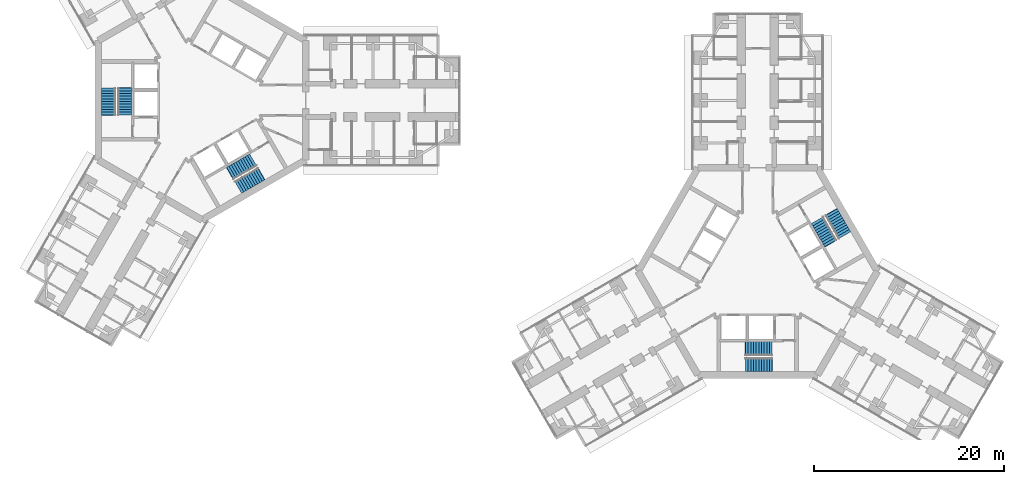
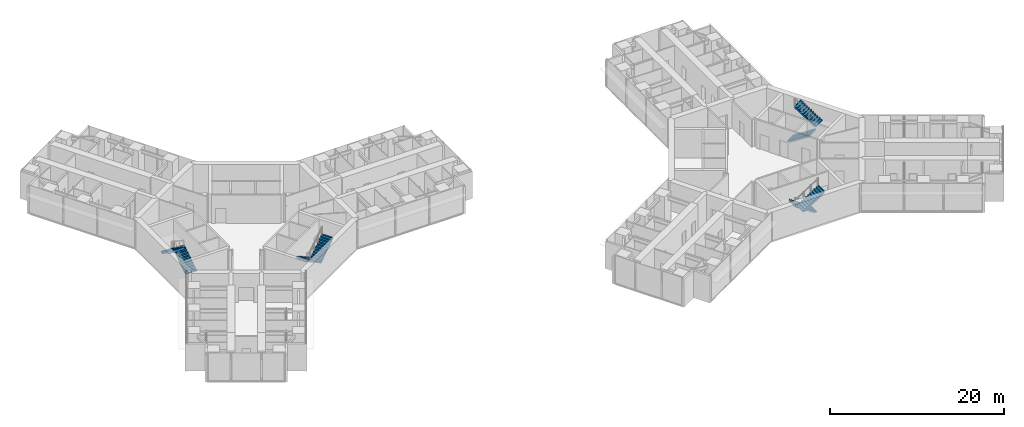
# One storey, part 24 of 25: 8 stair flights, 4 elements without a shape of their own.
"""IFC4 building model written with IfcOpenShell, lengths in metres."""

from ifc_helpers import new_model, si_unit, direction, frame, origin, place, context, subcontext, project, spatial, polyline, outline, extrude, material, type_object, element, aggregate, save


model = new_model("IFC4")

# Units and contexts
model_context = context("Model", 3, precision=1e-05, world=origin(), true_north=direction((0.0, 1.0)))
body_context = subcontext(model_context, "Body", "Model", "MODEL_VIEW")
ifc_project = project(units=[si_unit("LENGTHUNIT", "METRE"), si_unit("AREAUNIT", "SQUARE_METRE"), si_unit("VOLUMEUNIT", "CUBIC_METRE"), si_unit("PLANEANGLEUNIT", "RADIAN"), si_unit("MASSUNIT", "GRAM", prefix="KILO")], contexts=[model_context])

# Site, building, storey
site_placement = place(None, origin())
site = spatial("IfcSite", under=ifc_project, at=site_placement, CompositionType="ELEMENT")
building_placement = place(site_placement, origin())
building = spatial("IfcBuilding", under=site, at=building_placement, Name="Upepo Twin Towers", CompositionType="ELEMENT")
storey_placement = place(building_placement, frame((0.0, 0.0, 72.5)))
storey = spatial("IfcBuildingStorey", under=building, at=storey_placement, Name="L17", CompositionType="ELEMENT", Elevation=72.5)

# Stair, stair flights
ifc_material_1 = material(Name="Concrete C40/50", Category="concrete")
stair_type = type_object("IfcStairType", Name="Core stair, two flights", PredefinedType="HALF_TURN_STAIR", material=ifc_material_1)
stair_1_placement = place(storey_placement, origin())
stair_1 = element("IfcStair", 1, at=stair_1_placement, inside=storey, type_object=stair_type, Name="T1 stair S1 L17", PredefinedType="HALF_TURN_STAIR")
ifc_material_2 = material(Name="Concrete C40/50", Category="concrete")
stair_flight_type = type_object("IfcStairFlightType", Name="Stair flight 1450 RC", PredefinedType="STRAIGHT", material=ifc_material_2)
stair_flight_1_placement = place(storey_placement, frame((-8.125, -1.52001953125, 0.0), z_axis=(0.0, 0.0, 1.0), x_axis=(0.0, 1.0, 0.0)))
stair_flight_1 = element("IfcStairFlight", 2, at=stair_flight_1_placement, type_object=stair_flight_type, Name="Stair S1 flight 1", NumberOfRisers=11, NumberOfTreads=10, PredefinedType="STRAIGHT", RiserHeight=0.181818182, TreadLength=0.28, context=body_context, shape_type="SweptSolid", body=[
    extrude(outline(polyline([(0.0, 0.0), (0.0, 0.181884765625), (0.280029296875, 0.181884765625), (0.280029296875, 0.363525390625), (0.56005859375, 0.363525390625), (0.56005859375, 0.54541015625), (0.840087890625, 0.54541015625), (0.840087890625, 0.727294921875), (1.1201171875, 0.727294921875), (1.1201171875, 0.9091796875), (1.39990234375, 0.9091796875), (1.39990234375, 1.0908203125), (1.679931640625, 1.0908203125), (1.679931640625, 1.272705078125), (1.9599609375, 1.272705078125), (1.9599609375, 1.45458984375), (2.239990234375, 1.45458984375), (2.239990234375, 1.636474609375), (2.52001953125, 1.636474609375), (2.52001953125, 1.818115234375), (2.800048828125, 1.818115234375), (2.800048828125, 2.0), (2.85009765625, 2.0), (2.85009765625, 1.639404296875), (0.3251953125, 0.0), (0.0, 0.0)])), frame((0.0, 0.72509765625, 0.0), z_axis=(0.0, -1.0, 0.0), x_axis=(1.0, 0.0, 0.0)), (0.0, 0.0, 1.0), 1.449951171875),
])
stair_flight_2_placement = place(storey_placement, frame((-9.833251953125, 1.280029296875, 2.0), z_axis=(0.0, 0.0, 1.0), x_axis=(0.0, -1.0, 0.0)))
stair_flight_2 = element("IfcStairFlight", 3, at=stair_flight_2_placement, type_object=stair_flight_type, Name="Stair S1 flight 2", NumberOfRisers=11, NumberOfTreads=10, PredefinedType="STRAIGHT", RiserHeight=0.181818182, TreadLength=0.28, context=body_context, shape_type="SweptSolid", body=[
    extrude(outline(polyline([(0.0, 0.0), (0.0, 0.181884765625), (0.280029296875, 0.181884765625), (0.280029296875, 0.363525390625), (0.56005859375, 0.363525390625), (0.56005859375, 0.54541015625), (0.840087890625, 0.54541015625), (0.840087890625, 0.727294921875), (1.1201171875, 0.727294921875), (1.1201171875, 0.9091796875), (1.39990234375, 0.9091796875), (1.39990234375, 1.0908203125), (1.679931640625, 1.0908203125), (1.679931640625, 1.272705078125), (1.9599609375, 1.272705078125), (1.9599609375, 1.45458984375), (2.239990234375, 1.45458984375), (2.239990234375, 1.636474609375), (2.52001953125, 1.636474609375), (2.52001953125, 1.818115234375), (2.800048828125, 1.818115234375), (2.800048828125, 2.0), (2.85009765625, 2.0), (2.85009765625, 1.639404296875), (0.3251953125, 0.0), (0.0, 0.0)])), frame((0.0, 0.72509765625, 0.0), z_axis=(0.0, -1.0, 0.0), x_axis=(1.0, 0.0, 0.0)), (0.0, 0.0, 1.0), 1.449951171875),
])
aggregate(stair_1, [stair_flight_1, stair_flight_2])

stair_2_placement = place(storey_placement, origin())
stair_2 = element("IfcStair", 4, at=stair_2_placement, inside=storey, type_object=stair_type, Name="T1 stair S2 L17", PredefinedType="HALF_TURN_STAIR")
stair_flight_3_placement = place(storey_placement, frame((5.37890625, -6.2763671875, 0.0), z_axis=(0.0, 0.0, 1.0), x_axis=(-0.866025403784, -0.5, 0.0)))
stair_flight_3 = element("IfcStairFlight", 5, at=stair_flight_3_placement, type_object=stair_flight_type, Name="Stair S2 flight 1", NumberOfRisers=11, NumberOfTreads=10, PredefinedType="STRAIGHT", RiserHeight=0.181818182, TreadLength=0.28, context=body_context, shape_type="SweptSolid", body=[
    extrude(outline(polyline([(0.0, 0.0), (0.0, 0.181884765625), (0.280029296875, 0.181884765625), (0.280029296875, 0.363525390625), (0.56005859375, 0.363525390625), (0.56005859375, 0.54541015625), (0.840087890625, 0.54541015625), (0.840087890625, 0.727294921875), (1.1201171875, 0.727294921875), (1.1201171875, 0.9091796875), (1.39990234375, 0.9091796875), (1.39990234375, 1.0908203125), (1.679931640625, 1.0908203125), (1.679931640625, 1.272705078125), (1.9599609375, 1.272705078125), (1.9599609375, 1.45458984375), (2.239990234375, 1.45458984375), (2.239990234375, 1.636474609375), (2.52001953125, 1.636474609375), (2.52001953125, 1.818115234375), (2.800048828125, 1.818115234375), (2.800048828125, 2.0), (2.85009765625, 2.0), (2.85009765625, 1.639404296875), (0.3251953125, 0.0), (0.0, 0.0)])), frame((0.0, 0.72509765625, 0.0), z_axis=(0.0, -1.0, 0.0), x_axis=(1.0, 0.0, 0.0)), (0.0, 0.0, 1.0), 1.449951171875),
])
stair_flight_4_placement = place(storey_placement, frame((3.80810546875, -9.156005859375, 2.0), z_axis=(0.0, 0.0, 1.0), x_axis=(0.866025403784, 0.5, 0.0)))
stair_flight_4 = element("IfcStairFlight", 6, at=stair_flight_4_placement, type_object=stair_flight_type, Name="Stair S2 flight 2", NumberOfRisers=11, NumberOfTreads=10, PredefinedType="STRAIGHT", RiserHeight=0.181818182, TreadLength=0.28, context=body_context, shape_type="SweptSolid", body=[
    extrude(outline(polyline([(0.0, 0.0), (0.0, 0.181884765625), (0.280029296875, 0.181884765625), (0.280029296875, 0.363525390625), (0.56005859375, 0.363525390625), (0.56005859375, 0.54541015625), (0.840087890625, 0.54541015625), (0.840087890625, 0.727294921875), (1.1201171875, 0.727294921875), (1.1201171875, 0.9091796875), (1.39990234375, 0.9091796875), (1.39990234375, 1.0908203125), (1.679931640625, 1.0908203125), (1.679931640625, 1.272705078125), (1.9599609375, 1.272705078125), (1.9599609375, 1.45458984375), (2.239990234375, 1.45458984375), (2.239990234375, 1.636474609375), (2.52001953125, 1.636474609375), (2.52001953125, 1.818115234375), (2.800048828125, 1.818115234375), (2.800048828125, 2.0), (2.85009765625, 2.0), (2.85009765625, 1.639404296875), (0.3251953125, 0.0), (0.0, 0.0)])), frame((0.0, 0.72509765625, 0.0), z_axis=(0.0, -1.0, 0.0), x_axis=(1.0, 0.0, 0.0)), (0.0, 0.0, 1.0), 1.449951171875),
])
aggregate(stair_2, [stair_flight_3, stair_flight_4])

stair_3_placement = place(storey_placement, origin())
stair_3 = element("IfcStair", 7, at=stair_3_placement, inside=storey, type_object=stair_type, Name="T2 stair S1 L17", PredefinedType="HALF_TURN_STAIR")
stair_flight_5_placement = place(storey_placement, frame((60.02001953125, -26.125, 0.0), z_axis=(0.0, 0.0, 1.0), x_axis=(-1.0, 0.0, 0.0)))
stair_flight_5 = element("IfcStairFlight", 8, at=stair_flight_5_placement, type_object=stair_flight_type, Name="Stair S1 flight 1", NumberOfRisers=11, NumberOfTreads=10, PredefinedType="STRAIGHT", RiserHeight=0.181818182, TreadLength=0.28, context=body_context, shape_type="SweptSolid", body=[
    extrude(outline(polyline([(0.0, 0.0), (0.0, 0.181884765625), (0.280029296875, 0.181884765625), (0.280029296875, 0.363525390625), (0.56005859375, 0.363525390625), (0.56005859375, 0.54541015625), (0.840087890625, 0.54541015625), (0.840087890625, 0.727294921875), (1.1201171875, 0.727294921875), (1.1201171875, 0.9091796875), (1.39990234375, 0.9091796875), (1.39990234375, 1.0908203125), (1.679931640625, 1.0908203125), (1.679931640625, 1.272705078125), (1.9599609375, 1.272705078125), (1.9599609375, 1.45458984375), (2.239990234375, 1.45458984375), (2.239990234375, 1.636474609375), (2.52001953125, 1.636474609375), (2.52001953125, 1.818115234375), (2.800048828125, 1.818115234375), (2.800048828125, 2.0), (2.85009765625, 2.0), (2.85009765625, 1.639404296875), (0.3251953125, 0.0), (0.0, 0.0)])), frame((0.0, 0.72509765625, 0.0), z_axis=(0.0, -1.0, 0.0), x_axis=(1.0, 0.0, 0.0)), (0.0, 0.0, 1.0), 1.449951171875),
])
stair_flight_6_placement = place(storey_placement, frame((57.219970703125, -27.833251953125, 2.0), z_axis=(0.0, 0.0, 1.0), x_axis=(1.0, 0.0, 0.0)))
stair_flight_6 = element("IfcStairFlight", 9, at=stair_flight_6_placement, type_object=stair_flight_type, Name="Stair S1 flight 2", NumberOfRisers=11, NumberOfTreads=10, PredefinedType="STRAIGHT", RiserHeight=0.181818182, TreadLength=0.28, context=body_context, shape_type="SweptSolid", body=[
    extrude(outline(polyline([(0.0, 0.0), (0.0, 0.181884765625), (0.280029296875, 0.181884765625), (0.280029296875, 0.363525390625), (0.56005859375, 0.363525390625), (0.56005859375, 0.54541015625), (0.840087890625, 0.54541015625), (0.840087890625, 0.727294921875), (1.1201171875, 0.727294921875), (1.1201171875, 0.9091796875), (1.39990234375, 0.9091796875), (1.39990234375, 1.0908203125), (1.679931640625, 1.0908203125), (1.679931640625, 1.272705078125), (1.9599609375, 1.272705078125), (1.9599609375, 1.45458984375), (2.239990234375, 1.45458984375), (2.239990234375, 1.636474609375), (2.52001953125, 1.636474609375), (2.52001953125, 1.818115234375), (2.800048828125, 1.818115234375), (2.800048828125, 2.0), (2.85009765625, 2.0), (2.85009765625, 1.639404296875), (0.3251953125, 0.0), (0.0, 0.0)])), frame((0.0, 0.72509765625, 0.0), z_axis=(0.0, -1.0, 0.0), x_axis=(1.0, 0.0, 0.0)), (0.0, 0.0, 1.0), 1.449951171875),
])
aggregate(stair_3, [stair_flight_5, stair_flight_6])

stair_4_placement = place(storey_placement, origin())
stair_4 = element("IfcStair", 10, at=stair_4_placement, inside=storey, type_object=stair_type, Name="T2 stair S2 L17", PredefinedType="HALF_TURN_STAIR")
stair_flight_7_placement = place(storey_placement, frame((64.7763671875, -12.62109375, 0.0), z_axis=(0.0, 0.0, 1.0), x_axis=(0.5, -0.866025403784, 0.0)))
stair_flight_7 = element("IfcStairFlight", 11, at=stair_flight_7_placement, type_object=stair_flight_type, Name="Stair S2 flight 1", NumberOfRisers=11, NumberOfTreads=10, PredefinedType="STRAIGHT", RiserHeight=0.181818182, TreadLength=0.28, context=body_context, shape_type="SweptSolid", body=[
    extrude(outline(polyline([(0.0, 0.0), (0.0, 0.181884765625), (0.280029296875, 0.181884765625), (0.280029296875, 0.363525390625), (0.56005859375, 0.363525390625), (0.56005859375, 0.54541015625), (0.840087890625, 0.54541015625), (0.840087890625, 0.727294921875), (1.1201171875, 0.727294921875), (1.1201171875, 0.9091796875), (1.39990234375, 0.9091796875), (1.39990234375, 1.0908203125), (1.679931640625, 1.0908203125), (1.679931640625, 1.272705078125), (1.9599609375, 1.272705078125), (1.9599609375, 1.45458984375), (2.239990234375, 1.45458984375), (2.239990234375, 1.636474609375), (2.52001953125, 1.636474609375), (2.52001953125, 1.818115234375), (2.800048828125, 1.818115234375), (2.800048828125, 2.0), (2.85009765625, 2.0), (2.85009765625, 1.639404296875), (0.3251953125, 0.0), (0.0, 0.0)])), frame((0.0, 0.72509765625, 0.0), z_axis=(0.0, -1.0, 0.0), x_axis=(1.0, 0.0, 0.0)), (0.0, 0.0, 1.0), 1.449951171875),
])
stair_flight_8_placement = place(storey_placement, frame((67.656005859375, -14.19189453125, 2.0), z_axis=(0.0, 0.0, 1.0), x_axis=(-0.5, 0.866025403784, 0.0)))
stair_flight_8 = element("IfcStairFlight", 12, at=stair_flight_8_placement, type_object=stair_flight_type, Name="Stair S2 flight 2", NumberOfRisers=11, NumberOfTreads=10, PredefinedType="STRAIGHT", RiserHeight=0.181818182, TreadLength=0.28, context=body_context, shape_type="SweptSolid", body=[
    extrude(outline(polyline([(0.0, 0.0), (0.0, 0.181884765625), (0.280029296875, 0.181884765625), (0.280029296875, 0.363525390625), (0.56005859375, 0.363525390625), (0.56005859375, 0.54541015625), (0.840087890625, 0.54541015625), (0.840087890625, 0.727294921875), (1.1201171875, 0.727294921875), (1.1201171875, 0.9091796875), (1.39990234375, 0.9091796875), (1.39990234375, 1.0908203125), (1.679931640625, 1.0908203125), (1.679931640625, 1.272705078125), (1.9599609375, 1.272705078125), (1.9599609375, 1.45458984375), (2.239990234375, 1.45458984375), (2.239990234375, 1.636474609375), (2.52001953125, 1.636474609375), (2.52001953125, 1.818115234375), (2.800048828125, 1.818115234375), (2.800048828125, 2.0), (2.85009765625, 2.0), (2.85009765625, 1.639404296875), (0.3251953125, 0.0), (0.0, 0.0)])), frame((0.0, 0.72509765625, 0.0), z_axis=(0.0, -1.0, 0.0), x_axis=(1.0, 0.0, 0.0)), (0.0, 0.0, 1.0), 1.449951171875),
])
aggregate(stair_4, [stair_flight_7, stair_flight_8])

save(model, "model.ifc")
